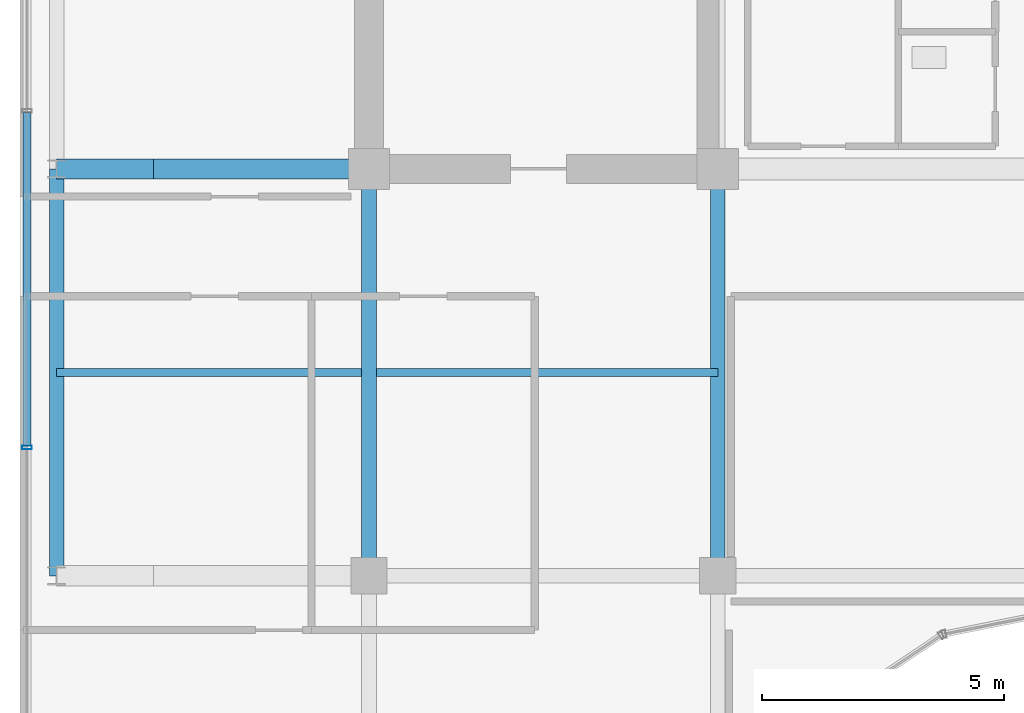
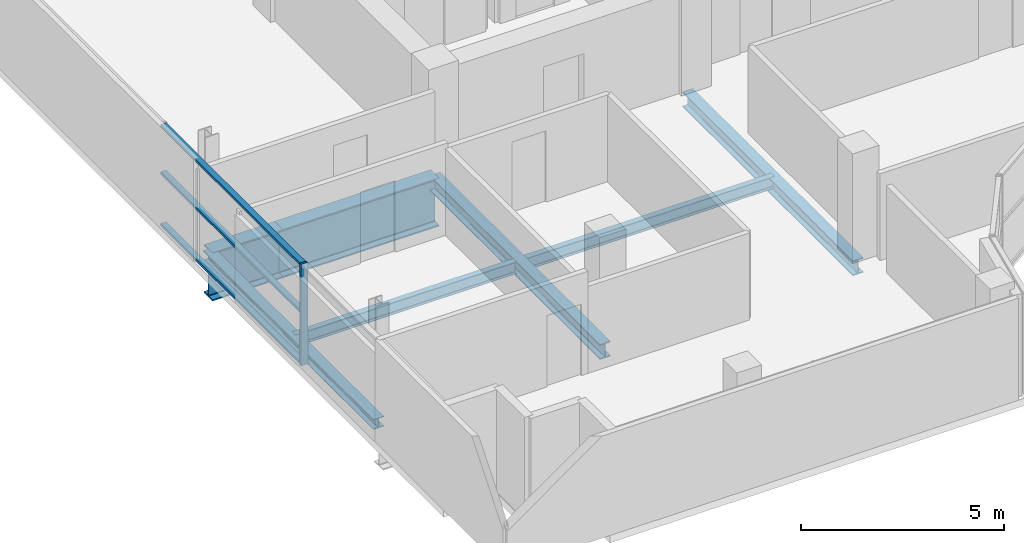
# One storey, part 4 of 29: 7 beams, 4 members, 1 element without a shape of its own.
"""IFC4 building model written with IfcOpenShell, lengths in metres."""

from ifc_helpers import new_model, si_unit, direction, frame, origin, origin_2d, place, context, subcontext, project, spatial, hollow_rectangle, i_section, extrude, source, transform, mapped, material, layer, layer_set, material_profile, profile_set, type_object, element, aggregate, save


model = new_model("IFC4")

# Units and contexts
model_context = context("Model", 3, precision=1e-05, world=origin(), true_north=direction((0.0, 1.0)))
body_context = subcontext(model_context, "Body", "Model", "MODEL_VIEW")
ifc_project = project(units=[si_unit("LENGTHUNIT", "METRE"), si_unit("AREAUNIT", "SQUARE_METRE"), si_unit("VOLUMEUNIT", "CUBIC_METRE"), si_unit("PLANEANGLEUNIT", "RADIAN"), si_unit("MASSUNIT", "GRAM", prefix="KILO")], contexts=[model_context])

# Site, building, storey
site_placement = place(None, origin())
site = spatial("IfcSite", under=ifc_project, at=site_placement, CompositionType="ELEMENT")
building_placement = place(site_placement, origin())
building = spatial("IfcBuilding", under=site, at=building_placement, Name="Zarnakvel Exchange Tower", CompositionType="ELEMENT")
storey_placement = place(building_placement, frame((0.0, 0.0, 258.39990234375)))
storey = spatial("IfcBuildingStorey", under=building, at=storey_placement, Name="L73", CompositionType="ELEMENT", Elevation=258.39990234375)

# Beams
ifc_material_1 = material(Name="Steel S355", Category="steel")
ifc_material_profile_1 = material_profile(ifc_material_1, i_section(OverallWidth=0.169921875, OverallDepth=0.360107421875, WebThickness=0.008056640625, FlangeThickness=0.0126953125, FilletRadius=0.01806640625, at=origin_2d()))
ifc_profile_set_1 = profile_set([ifc_material_profile_1], Name="Steel S355")
beam_type_1 = type_object("IfcBeamType", Name="B-07", PredefinedType="JOIST", material=ifc_profile_set_1)
beam_1_placement = place(storey_placement, frame((-20.85009765625, -5.39990234375, -0.40478515625), z_axis=(1.0, 0.0, 0.0), x_axis=(0.0, 1.0, 0.0)))
element("IfcBeam", 1, at=beam_1_placement, inside=storey, type_object=beam_type_1, Name="L73 Composite Floor Secondary Joist", PredefinedType="JOIST", context=body_context, shape_type="SweptSolid", body=[
    extrude(i_section(OverallWidth=0.169921875, OverallDepth=0.360107421875, WebThickness=0.008056640625, FlangeThickness=0.0126953125, FilletRadius=0.01806640625, at=origin_2d()), origin(), (0.0, 0.0, 1.0), 6.300048828125),
])
beam_2_placement = place(storey_placement, frame((-14.25, -5.39990234375, -0.40478515625), z_axis=(1.0, 0.0, 0.0), x_axis=(0.0, 1.0, 0.0)))
element("IfcBeam", 2, at=beam_2_placement, inside=storey, type_object=beam_type_1, Name="L73 Composite Floor Secondary Joist", PredefinedType="JOIST", context=body_context, shape_type="SweptSolid", body=[
    extrude(i_section(OverallWidth=0.169921875, OverallDepth=0.360107421875, WebThickness=0.008056640625, FlangeThickness=0.0126953125, FilletRadius=0.01806640625, at=origin_2d()), origin(), (0.0, 0.0, 1.0), 7.050048828125),
])
ifc_material_profile_2 = material_profile(ifc_material_1, i_section(OverallWidth=0.300048828125, OverallDepth=0.449951171875, WebThickness=0.013916015625, FlangeThickness=0.02587890625, FilletRadius=0.027099609375, at=origin_2d()))
ifc_profile_set_2 = profile_set([ifc_material_profile_2], Name="Steel S355")
beam_type_2 = type_object("IfcBeamType", Name="G-07", PredefinedType="BEAM", material=ifc_profile_set_2)
for number, where, z_axis, x_axis, name in (
    (3, (-14.39990234375, -9.60009765625, -0.449951171875), (0.0, 1.0, 0.0), (-1.0, 0.0, 0.0), "L73 Tower N-S Frame Beam"),
    (4, (-7.199951171875, -9.60009765625, -0.449951171875), (0.0, 1.0, 0.0), (-1.0, 0.0, 0.0), "L73 Tower N-S Frame Beam"),
):
    element("IfcBeam", number, at=place(storey_placement, frame(where, z_axis=z_axis, x_axis=x_axis)), inside=storey, type_object=beam_type_2, Name=name, PredefinedType="BEAM", context=body_context, shape_type="SweptSolid", body=[
        extrude(i_section(OverallWidth=0.300048828125, OverallDepth=0.449951171875, WebThickness=0.013916015625, FlangeThickness=0.02587890625, FilletRadius=0.027099609375, at=origin_2d()), origin(), (0.0, 0.0, 1.0), 8.400146484375),
    ])
ifc_material_profile_3 = material_profile(ifc_material_1, i_section(OverallWidth=0.300048828125, OverallDepth=0.300048828125, WebThickness=0.010986328125, FlangeThickness=0.01904296875, FilletRadius=0.027099609375, at=origin_2d()))
ifc_profile_set_3 = profile_set([ifc_material_profile_3], Name="Steel S355")
beam_type_3 = type_object("IfcBeamType", Name="SP-03", PredefinedType="SPANDREL", material=ifc_profile_set_3)
beam_3_placement = place(storey_placement, frame((-20.85009765625, -9.60009765625, -0.375), z_axis=(0.0, 1.0, 0.0), x_axis=(-1.0, 0.0, 0.0)))
element("IfcBeam", 5, at=beam_3_placement, inside=storey, type_object=beam_type_3, Name="L73 Tower N-S Frame Beam", PredefinedType="SPANDREL", context=body_context, shape_type="SweptSolid", body=[
    extrude(i_section(OverallWidth=0.300048828125, OverallDepth=0.300048828125, WebThickness=0.010986328125, FlangeThickness=0.01904296875, FilletRadius=0.027099609375, at=origin_2d()), origin(), (0.0, 0.0, 1.0), 8.400146484375),
])
ifc_material_2 = material(Name="Steel S460", Category="steel")
ifc_material_profile_4 = material_profile(ifc_material_2, i_section(OverallWidth=0.419921875, OverallDepth=1.449951171875, WebThickness=0.02392578125, FlangeThickness=0.0400390625, FilletRadius=0.030029296875, at=origin_2d()))
ifc_profile_set_4 = profile_set([ifc_material_profile_4], Name="Steel S460")
beam_type_4 = type_object("IfcBeamType", Name="TG-01", PredefinedType="BEAM", material=ifc_profile_set_4)
beam_4_placement = place(storey_placement, frame((-20.85009765625, -1.199951171875, -0.949951171875), z_axis=(1.0, 0.0, 0.0), x_axis=(0.0, 1.0, 0.0)))
element("IfcBeam", 6, at=beam_4_placement, inside=storey, type_object=beam_type_4, Name="L73 Block-Shift Cantilever Transfer TW-D", PredefinedType="BEAM", context=body_context, shape_type="SweptSolid", body=[
    extrude(i_section(OverallWidth=0.419921875, OverallDepth=1.449951171875, WebThickness=0.02392578125, FlangeThickness=0.0400390625, FilletRadius=0.030029296875, at=origin_2d()), origin(), (0.0, 0.0, 1.0), 2.0),
])
beam_5_placement = place(storey_placement, frame((-18.85009765625, -1.199951171875, -0.949951171875), z_axis=(1.0, 0.0, 0.0), x_axis=(0.0, 1.0, 0.0)))
element("IfcBeam", 7, at=beam_5_placement, inside=storey, type_object=beam_type_4, Name="L73 Block-Shift Backspan Transfer TW-D", PredefinedType="BEAM", context=body_context, shape_type="SweptSolid", body=[
    extrude(i_section(OverallWidth=0.419921875, OverallDepth=1.449951171875, WebThickness=0.02392578125, FlangeThickness=0.0400390625, FilletRadius=0.030029296875, at=origin_2d()), origin(), (0.0, 0.0, 1.0), 4.4501953125),
])

# Curtain wall, members
ifc_material_3 = material(Name="Architectural Bronze Anodised Aluminium", Category="aluminium")
ifc_layer = layer(ifc_material_3, 0.199951171875)
ifc_layer_set = layer_set([ifc_layer], Name="Architectural Bronze Anodised Aluminium")
curtain_wall_type = type_object("IfcCurtainWallType", Name="CW-04", PredefinedType="NOTDEFINED", material=ifc_layer_set)
curtain_wall_placement = place(storey_placement, origin())
curtain_wall = element("IfcCurtainWall", 8, at=curtain_wall_placement, inside=storey, type_object=curtain_wall_type, Name="L73 Curtain Wall CW-L73-W1 (CW-04)", PredefinedType="NOTDEFINED")
ifc_material_profile_5 = material_profile(ifc_material_3, hollow_rectangle(XDim=0.199951171875, YDim=0.074951171875, WallThickness=0.0048828125, at=origin_2d()))
ifc_profile_set_5 = profile_set([ifc_material_profile_5], Name="Architectural Bronze Anodised Aluminium")
member_type_1 = type_object("IfcMemberType", Name="CWM-04", PredefinedType="MULLION", material=ifc_profile_set_5)
shared_shape_1 = source(origin(), body_context, "Body", "SweptSolid", [
    extrude(hollow_rectangle(XDim=0.199951171875, YDim=0.074951171875, WallThickness=0.0048828125, at=origin_2d()), origin(), (0.0, 0.0, 1.0), 3.05517578125),
])
member_1_placement = place(storey_placement, frame((-21.4599609375, -6.949951171875, 0.0), z_axis=(0.0, 0.0, 1.0), x_axis=(-1.0, 0.0, 0.0)))
member_1 = element("IfcMember", 9, at=member_1_placement, type_object=member_type_1, Name="CW-04 mullion 2", PredefinedType="MULLION", context=body_context, shape_type="MappedRepresentation", body=[
    mapped(shared_shape_1, transform((0.0, 0.0, 0.0), x_axis=(1.0, 0.0, 0.0), y_axis=(0.0, 1.0, 0.0), z_axis=(0.0, 0.0, 1.0), scale=1.0)),
])
ifc_material_profile_6 = material_profile(ifc_material_3, hollow_rectangle(XDim=0.159912109375, YDim=0.074951171875, WallThickness=0.00390625, at=origin_2d()))
ifc_profile_set_6 = profile_set([ifc_material_profile_6], Name="Architectural Bronze Anodised Aluminium")
member_type_2 = type_object("IfcMemberType", Name="CWT-04", PredefinedType="USERDEFINED", material=ifc_profile_set_6)
shared_shape_2 = source(origin(), body_context, "Body", "SweptSolid", [
    extrude(hollow_rectangle(XDim=0.159912109375, YDim=0.074951171875, WallThickness=0.00390625, at=origin_2d()), origin(), (0.0, 0.0, 1.0), 6.875),
])
member_2_placement = place(storey_placement, frame((-21.4599609375, -6.91259765625, 0.03759765625), z_axis=(0.0, 1.0, 0.0), x_axis=(-1.0, 0.0, 0.0)))
member_2 = element("IfcMember", 10, at=member_2_placement, type_object=member_type_2, Name="CW-04 transom 2.1", ObjectType="TRANSOM", PredefinedType="USERDEFINED", context=body_context, shape_type="MappedRepresentation", body=[
    mapped(shared_shape_2, transform((0.0, 0.0, 0.0), x_axis=(1.0, 0.0, 0.0), y_axis=(0.0, 1.0, 0.0), z_axis=(0.0, 0.0, 1.0), scale=1.0)),
])
member_3_placement = place(storey_placement, frame((-21.4599609375, -6.91259765625, 1.588623046875), z_axis=(0.0, 1.0, 0.0), x_axis=(-1.0, 0.0, 0.0)))
member_3 = element("IfcMember", 11, at=member_3_placement, type_object=member_type_2, Name="CW-04 transom 2.2", ObjectType="TRANSOM", PredefinedType="USERDEFINED", context=body_context, shape_type="MappedRepresentation", body=[
    mapped(shared_shape_2, transform((0.0, 0.0, 0.0), x_axis=(1.0, 0.0, 0.0), y_axis=(0.0, 1.0, 0.0), z_axis=(0.0, 0.0, 1.0), scale=1.0)),
])
member_4_placement = place(storey_placement, frame((-21.4599609375, -6.91259765625, 3.017578125), z_axis=(0.0, 1.0, 0.0), x_axis=(-1.0, 0.0, 0.0)))
member_4 = element("IfcMember", 12, at=member_4_placement, type_object=member_type_2, Name="CW-04 transom 2.3", ObjectType="TRANSOM", PredefinedType="USERDEFINED", context=body_context, shape_type="MappedRepresentation", body=[
    mapped(shared_shape_2, transform((0.0, 0.0, 0.0), x_axis=(1.0, 0.0, 0.0), y_axis=(0.0, 1.0, 0.0), z_axis=(0.0, 0.0, 1.0), scale=1.0)),
])
aggregate(curtain_wall, [member_1, member_2, member_3, member_4])

save(model, "model.ifc")
